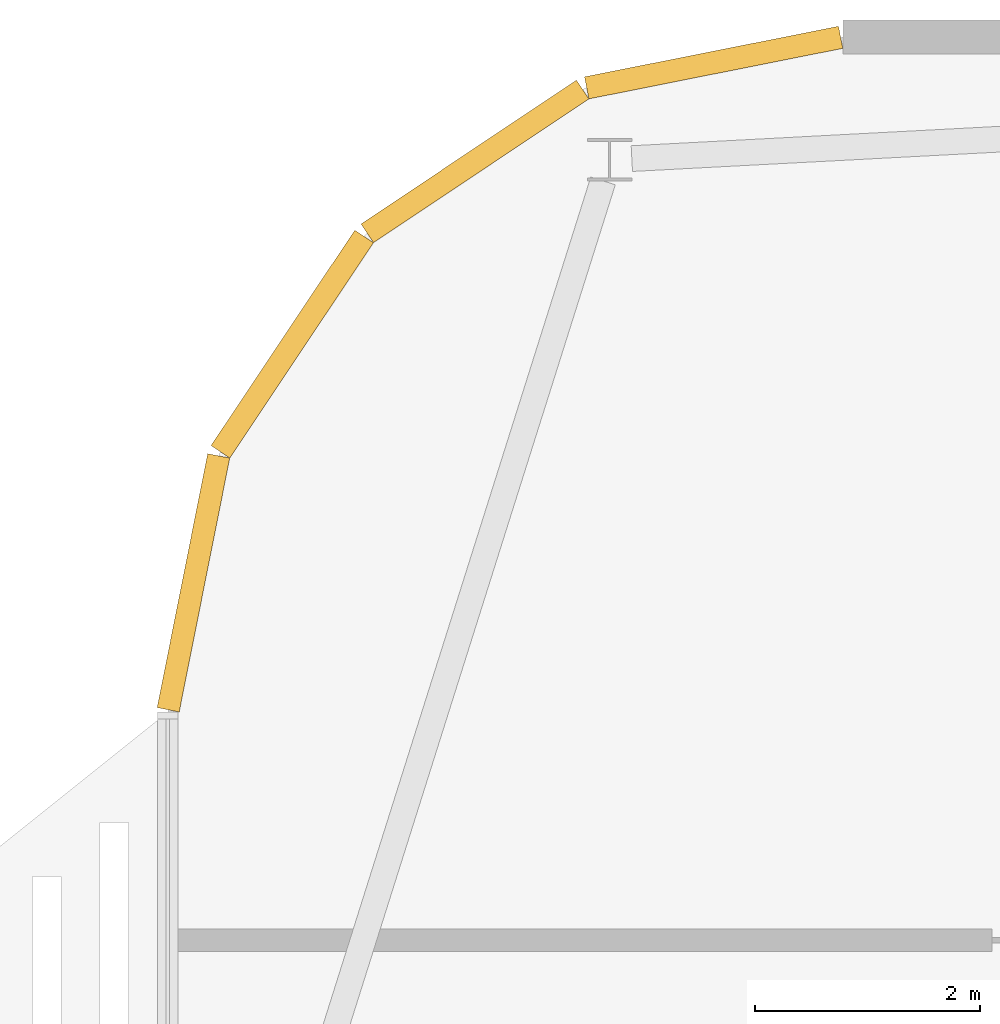
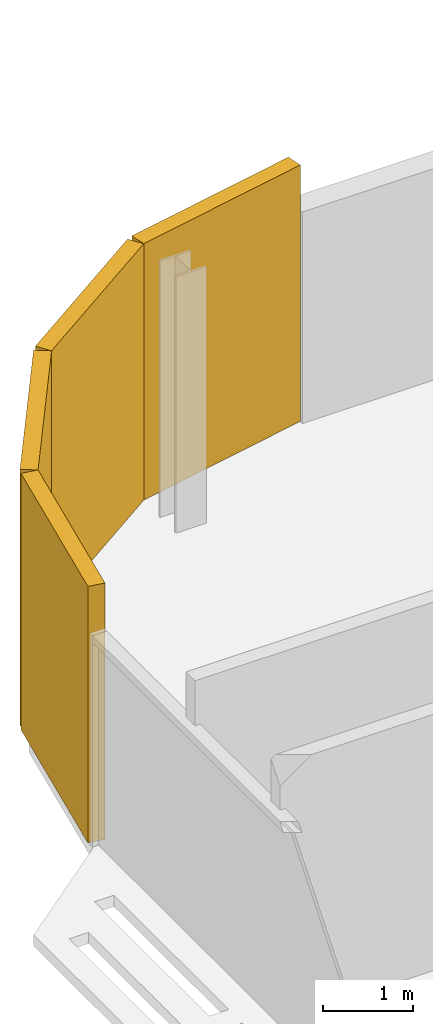
# One storey, part 27 of 29: 4 coverings.
"""IFC4 building model written with IfcOpenShell, lengths in metres."""

from ifc_helpers import new_model, si_unit, direction, frame, origin, origin_2d, place, context, subcontext, project, spatial, rectangle, extrude, material, layer, layer_set, type_object, element, save


model = new_model("IFC4")

# Units and contexts
model_context = context("Model", 3, precision=1e-05, world=origin(), true_north=direction((0.0, 1.0)))
body_context = subcontext(model_context, "Body", "Model", "MODEL_VIEW")
ifc_project = project(units=[si_unit("LENGTHUNIT", "METRE"), si_unit("AREAUNIT", "SQUARE_METRE"), si_unit("VOLUMEUNIT", "CUBIC_METRE"), si_unit("PLANEANGLEUNIT", "RADIAN"), si_unit("MASSUNIT", "GRAM", prefix="KILO")], contexts=[model_context])

# Site, building, storey
site_placement = place(None, origin())
site = spatial("IfcSite", under=ifc_project, at=site_placement, CompositionType="ELEMENT")
building_placement = place(site_placement, origin())
building = spatial("IfcBuilding", under=site, at=building_placement, Name="Mahtab Terrace Research Tower", CompositionType="ELEMENT")
storey_placement = place(building_placement, frame((0.0, 0.0, 274.699951171875)))
storey = spatial("IfcBuildingStorey", under=building, at=storey_placement, Name="L67", CompositionType="ELEMENT", Elevation=274.699951171875)

# Coverings
ifc_material = material(Name="Black aluminium cladding panel", Category="aluminium")
ifc_layer = layer(ifc_material, 0.199951171875)
ifc_layer_set = layer_set([ifc_layer], Name="Black metal corner cladding 200")
covering_type = type_object("IfcCoveringType", Name="Black metal corner cladding 200", PredefinedType="CLADDING", material=ifc_layer_set)
for number, where, z_axis, x_axis, name in (
    (1, (-43.14794921875, 24.800537109375, 0.0), (0.0, 0.0, 1.0), (-0.980760981187, -0.195212442692, 0.0), "Corner cladding L67 4"),
    (2, (-45.26953125, 23.922119140625, 0.0), (0.0, 0.0, 1.0), (-0.831655794326, -0.555291490808, 0.0), "Corner cladding L67 5"),
    (3, (-46.89306640625, 22.298583984375, 0.0), (0.0, 0.0, 1.0), (-0.555291490808, -0.831655794326, 0.0), "Corner cladding L67 6"),
    (4, (-47.771484375, 20.177001953125, 0.0), (0.0, 0.0, 1.0), (-0.195212442692, -0.980760981187, 0.0), "Corner cladding L67 7"),
):
    element("IfcCovering", number, at=place(storey_placement, frame(where, z_axis=z_axis, x_axis=x_axis)), inside=storey, type_object=covering_type, Name=name, PredefinedType="CLADDING", context=body_context, shape_type="SweptSolid", body=[
        extrude(rectangle(XDim=2.30126953125, YDim=0.199951171875, at=origin_2d()), origin(), (0.0, 0.0, 1.0), 3.4599609375),
    ])

save(model, "model.ifc")
